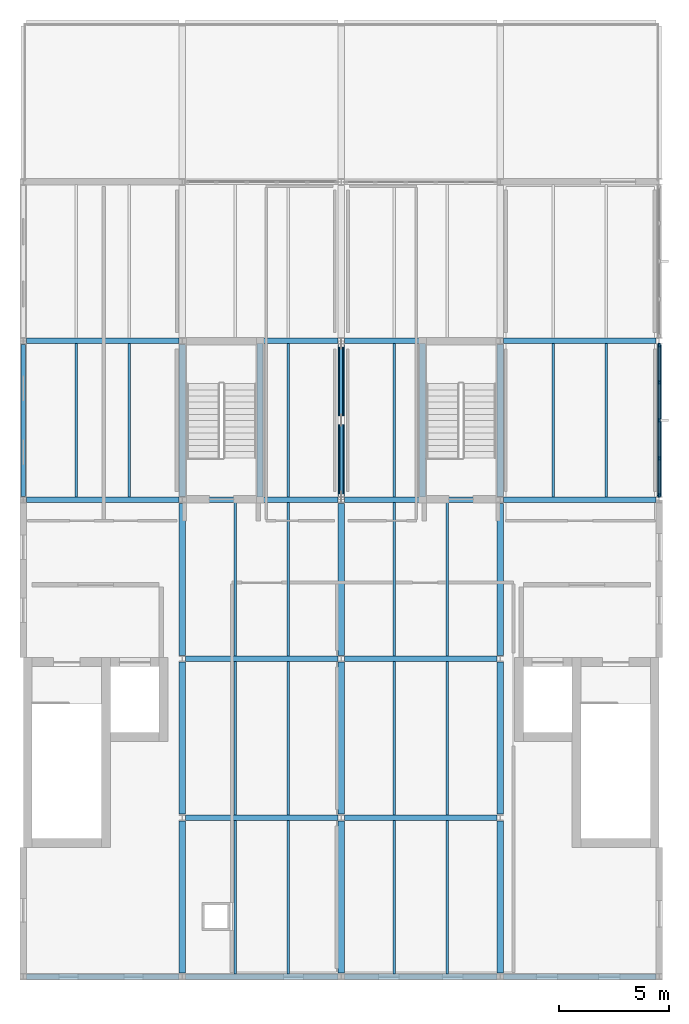
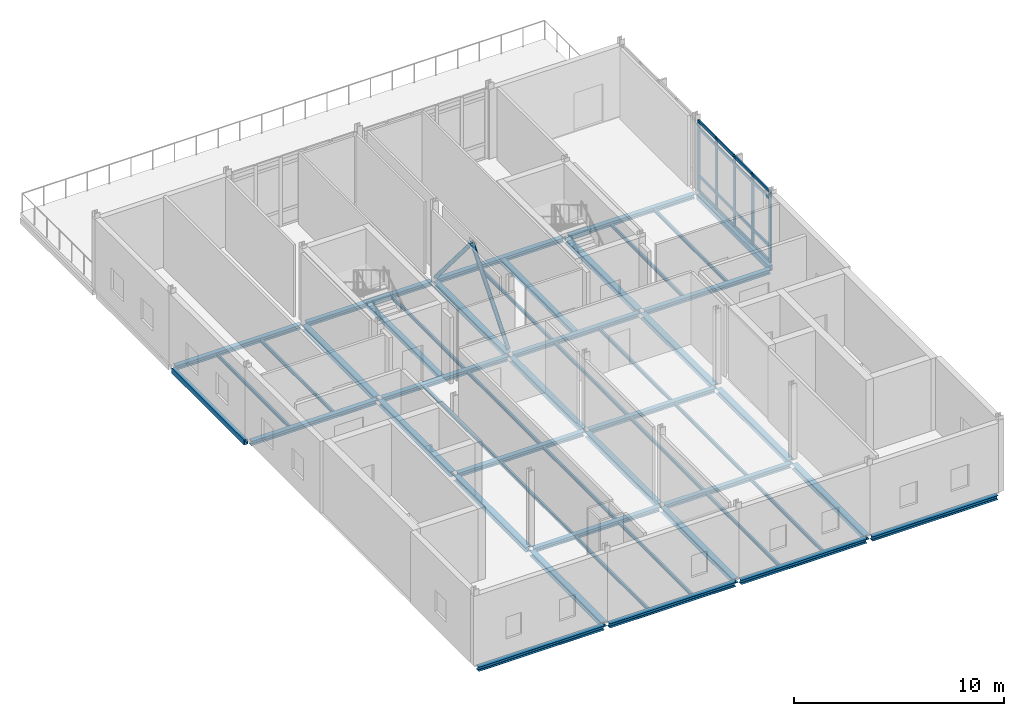
# One storey, part 3 of 12: 50 beams, 23 members, 1 element without a shape of its own.
"""IFC4 building model written with IfcOpenShell, lengths in metres."""

import ifcopenshell
import ifcopenshell.guid

model = None  # the IFC model being written
_history = None  # IfcOwnerHistory: only IFC2X3 demands one
_inside = {}  # id of a spatial element -> (the spatial element, [elements in it])
_under = {}  # id of a project, library or spatial element -> (it, [spatial elements below it])
_declared = {}  # id of a project -> (the project, [libraries it declares])
_typed = {}  # id of a type object -> (the type object, [elements of that type])
_made_of = {}  # id of a material, layer set ... -> (it, [elements and type objects made of it])


def new_model(schema):
    """Start an empty IFC model of exactly this schema.

    Asked for "IFC4X3", IfcOpenShell would pick the latest addendum, in which some entities
    have other attributes; the version numbers below select the first issue.
    IFC2X3 requires an IfcOwnerHistory on every rooted entity: one is made here for all.
    """
    global model, _history
    if schema == "IFC4X3":
        model = ifcopenshell.file(schema_version=(4, 3, 0, 0))
    else:
        model = ifcopenshell.file(schema=schema)
    _inside.clear()
    _under.clear()
    _declared.clear()
    _typed.clear()
    _made_of.clear()
    _history = None
    if model.schema == "IFC2X3":
        org = make("IfcOrganization", Name="unknown")
        user = make(
            "IfcPersonAndOrganization",
            ThePerson=make("IfcPerson", FamilyName="unknown"),
            TheOrganization=org,
        )
        app = make(
            "IfcApplication",
            ApplicationDeveloper=org,
            Version="unknown",
            ApplicationFullName="unknown",
            ApplicationIdentifier="unknown",
        )
        _history = make(
            "IfcOwnerHistory",
            OwningUser=user,
            OwningApplication=app,
            ChangeAction="ADDED",
            CreationDate=0,
        )
    return model


def make(cls, **values):
    """One entity of the class cls with the attributes given. An attribute that is None is left unset."""
    return model.create_entity(
        cls, **{name: value for name, value in values.items() if value is not None}
    )


def rooted(cls, **values):
    """An entity with a GlobalId (a new one), such as an element, a storey or a relation."""
    return make(cls, GlobalId=ifcopenshell.guid.new(), OwnerHistory=_history, **values)


def si_unit(unit_type, name, prefix=None):
    """IfcSIUnit, for example si_unit("LENGTHUNIT", "METRE", prefix="MILLI")."""
    return make("IfcSIUnit", UnitType=unit_type, Prefix=prefix, Name=name)


def assignment(units):
    """IfcUnitAssignment: the units of a project."""
    return None if units is None else make("IfcUnitAssignment", Units=units)


def point(xyz):
    """IfcCartesianPoint."""
    return None if xyz is None else make("IfcCartesianPoint", Coordinates=xyz)


def direction(xyz):
    """IfcDirection."""
    return None if xyz is None else make("IfcDirection", DirectionRatios=xyz)


def frame(location, z_axis=None, x_axis=None):
    """IfcAxis2Placement3D, a coordinate frame: its origin and axes. An axis left out is left unset."""
    return make(
        "IfcAxis2Placement3D",
        Location=point(location),
        Axis=direction(z_axis),
        RefDirection=direction(x_axis),
    )


def frame_2d(location, x_axis=None):
    """IfcAxis2Placement2D, a coordinate frame in the plane: its origin and x axis."""
    return make(
        "IfcAxis2Placement2D", Location=point(location), RefDirection=direction(x_axis)
    )


def origin():
    """The frame at (0, 0, 0) with its axes left unset."""
    return frame((0.0, 0.0, 0.0))


def origin_2d():
    """The frame at (0, 0) in the plane with its x axis left unset."""
    return frame_2d((0.0, 0.0))


def place(relative_to, where):
    """IfcLocalPlacement: puts the frame where relative to a parent placement (None: the world)."""
    return make(
        "IfcLocalPlacement", PlacementRelTo=relative_to, RelativePlacement=where
    )


def context(
    kind, dimensions, precision=None, world=None, true_north=None, identifier=None
):
    """IfcGeometricRepresentationContext, for example the 3D "Model" context."""
    return make(
        "IfcGeometricRepresentationContext",
        ContextIdentifier=identifier,
        ContextType=kind,
        CoordinateSpaceDimension=dimensions,
        Precision=precision,
        WorldCoordinateSystem=world,
        TrueNorth=true_north,
    )


def subcontext(parent, identifier, kind, view, scale=None):
    """IfcGeometricRepresentationSubContext, for example "Body" below "Model"."""
    return make(
        "IfcGeometricRepresentationSubContext",
        ContextIdentifier=identifier,
        ContextType=kind,
        ParentContext=parent,
        TargetScale=scale,
        TargetView=view,
    )


def project(units=None, contexts=None):
    """IfcProject with its units and contexts."""
    return rooted(
        "IfcProject",
        Name="project",
        RepresentationContexts=contexts,
        UnitsInContext=assignment(units),
    )


def spatial(cls, under=None, at=None, **own):
    """A site, building, storey or space (cls), placed at a placement, below another one or the project."""
    s = rooted(cls, ObjectPlacement=at, **own)
    if under is not None:
        _under.setdefault(under.id(), (under, []))[1].append(s)
    return s


def profile(cls, at=None, kind="AREA", **sizes):
    """A parametric profile (cls). Its sizes go by their IFC names, for example OverallWidth=200.0."""
    return make(cls, ProfileType=kind, Position=at, **sizes)


def rectangle(**sizes):
    """IfcRectangleProfileDef."""
    return profile("IfcRectangleProfileDef", **sizes)


def hollow_rectangle(**sizes):
    """IfcRectangleHollowProfileDef."""
    return profile("IfcRectangleHollowProfileDef", **sizes)


def hollow_circle(**sizes):
    """IfcCircleHollowProfileDef."""
    return profile("IfcCircleHollowProfileDef", **sizes)


def i_section(**sizes):
    """IfcIShapeProfileDef."""
    return profile("IfcIShapeProfileDef", **sizes)


def extrude(swept, where, along, depth):
    """IfcExtrudedAreaSolid: the profile swept, set in the frame where, extruded along a direction by depth."""
    return make(
        "IfcExtrudedAreaSolid",
        SweptArea=swept,
        Position=where,
        ExtrudedDirection=direction(along),
        Depth=depth,
    )


def shape(context_of_items, identifier, shape_type, items):
    """IfcShapeRepresentation: the items that make up one representation, for example the "Body"."""
    return make(
        "IfcShapeRepresentation",
        ContextOfItems=context_of_items,
        RepresentationIdentifier=identifier,
        RepresentationType=shape_type,
        Items=items,
    )


def material(Name=None, Category=None):
    """IfcMaterial."""
    return make("IfcMaterial", Name=Name, Category=Category)


def layer(
    of_material, thickness, ventilated=None, Name=None, Category=None, Priority=None
):
    """IfcMaterialLayer: one layer of a wall or slab, of a material (None: an air gap)."""
    return make(
        "IfcMaterialLayer",
        Material=of_material,
        LayerThickness=thickness,
        IsVentilated=ventilated,
        Name=Name,
        Category=Category,
        Priority=Priority,
    )


def layer_set(layers, Name=None):
    """IfcMaterialLayerSet."""
    return make("IfcMaterialLayerSet", MaterialLayers=layers, LayerSetName=Name)


def material_profile(
    of_material, cross_section, Name=None, Category=None, Priority=None
):
    """IfcMaterialProfile: a cross section and its material."""
    return make(
        "IfcMaterialProfile",
        Name=Name,
        Material=of_material,
        Profile=cross_section,
        Priority=Priority,
        Category=Category,
    )


def profile_set(profiles, Name=None, composite=None):
    """IfcMaterialProfileSet."""
    return make(
        "IfcMaterialProfileSet",
        Name=Name,
        MaterialProfiles=profiles,
        CompositeProfile=composite,
    )


def made_of(thing, what):
    """Note that an element or type object is made of a material, layer set ...; save() writes the relation."""
    if what is not None:
        _made_of.setdefault(what.id(), (what, []))[1].append(thing)
    return thing


def type_object(cls, material=None, **own):
    """A type object (cls), such as IfcWallType, which elements share."""
    return made_of(rooted(cls, **own), material)


def element(
    cls,
    number,
    at=None,
    inside=None,
    cuts=None,
    type_object=None,
    material=None,
    context=None,
    identifier="Body",
    shape_type=None,
    held_by="IfcProductDefinitionShape",
    body=None,
    shapes=None,
    **own,
):
    """One element of the class cls, such as IfcWall. Its Tag is "e" and its number.

    at: its placement. inside: the storey or other place that contains it. cuts: it is an
    opening in that element (IfcRelVoidsElement). A single representation is given by context,
    identifier, shape_type and body (its items); several are given by shapes. held_by: the class
    of the entity that holds the representations. save() writes the other relations.
    """
    e = rooted(cls, Tag="e%d" % number, ObjectPlacement=at, **own)
    if body is not None:
        shapes = [shape(context, identifier, shape_type, body)]
    if shapes is not None:
        e.Representation = make(held_by, Representations=shapes)
    if inside is not None:
        _inside.setdefault(inside.id(), (inside, []))[1].append(e)
    if cuts is not None:
        rooted(
            "IfcRelVoidsElement", RelatingBuildingElement=cuts, RelatedOpeningElement=e
        )
    if type_object is not None:
        _typed.setdefault(type_object.id(), (type_object, []))[1].append(e)
    return made_of(e, material)


def aggregate(whole, parts):
    """IfcRelAggregates: a whole, such as a stair, and the parts it consists of."""
    return rooted("IfcRelAggregates", RelatingObject=whole, RelatedObjects=parts)


def save(model, path):
    """Write the relations noted so far, then the file.

    IfcRelAggregates (storeys below a building ...), IfcRelContainedInSpatialStructure (elements
    in a storey), IfcRelDefinesByType, IfcRelAssociatesMaterial and IfcRelDeclares: one each for
    every whole, place, type object, material and project.
    """
    for whole, parts in _under.values():
        aggregate(whole, parts)
    for where, things in _inside.values():
        rooted(
            "IfcRelContainedInSpatialStructure",
            RelatedElements=things,
            RelatingStructure=where,
        )
    for kind, things in _typed.values():
        rooted("IfcRelDefinesByType", RelatedObjects=things, RelatingType=kind)
    for what, things in _made_of.values():
        rooted("IfcRelAssociatesMaterial", RelatedObjects=things, RelatingMaterial=what)
    for by, libraries in _declared.values():
        rooted("IfcRelDeclares", RelatingContext=by, RelatedDefinitions=libraries)
    model.write(path)


model = new_model("IFC4")

# Units and contexts
model_context = context("Model", 3, precision=1e-05, world=origin(), true_north=direction((0.0, 1.0)))
body_context = subcontext(model_context, "Body", "Model", "MODEL_VIEW")
ifc_project = project(units=[si_unit("LENGTHUNIT", "METRE"), si_unit("AREAUNIT", "SQUARE_METRE"), si_unit("VOLUMEUNIT", "CUBIC_METRE"), si_unit("PLANEANGLEUNIT", "RADIAN"), si_unit("MASSUNIT", "GRAM", prefix="KILO")], contexts=[model_context])

# Site, building, storey
site_placement = place(None, origin())
site = spatial("IfcSite", under=ifc_project, at=site_placement, CompositionType="ELEMENT")
building_placement = place(site_placement, origin())
building = spatial("IfcBuilding", under=site, at=building_placement, Name="Zarrinpeak Specialist Clinic", CompositionType="ELEMENT")
storey_placement = place(building_placement, frame((0.0, 0.0, 27.199951171875)))
storey = spatial("IfcBuildingStorey", under=building, at=storey_placement, Name="L06", CompositionType="ELEMENT", Elevation=27.199951171875)

# Beams
ifc_material_1 = material(Name="Steel S355", Category="steel")
ifc_material_profile_1 = material_profile(ifc_material_1, i_section(OverallWidth=0.260009765625, OverallDepth=0.25, WebThickness=0.007568359375, FlangeThickness=0.012451171875, FilletRadius=0.02392578125, at=origin_2d()), Name="HEA 260")
ifc_profile_set_1 = profile_set([ifc_material_profile_1], Name="Steel S355")
beam_type_1 = type_object("IfcBeamType", Name="BM-HEA260", PredefinedType="BEAM", material=ifc_profile_set_1)
for number, where, z_axis, x_axis, name in (
    (1, (0.14794921875, 0.0, -0.31005859375), (1.0, 0.0, 0.0), (0.0, 1.0, 0.0), "L06 Primary Floor Girder BM-L06-X2180"),
    (2, (7.347900390625, 0.0, -0.31005859375), (1.0, 0.0, 0.0), (0.0, 1.0, 0.0), "L06 Primary Floor Girder BM-L06-X2181"),
):
    element("IfcBeam", number, at=place(storey_placement, frame(where, z_axis=z_axis, x_axis=x_axis)), inside=storey, type_object=beam_type_1, Name=name, PredefinedType="BEAM", context=body_context, shape_type="SweptSolid", body=[
        extrude(i_section(OverallWidth=0.260009765625, OverallDepth=0.25, WebThickness=0.007568359375, FlangeThickness=0.012451171875, FilletRadius=0.02392578125, at=origin_2d()), origin(), (0.0, 0.0, 1.0), 6.904052734375),
    ])
beam_1_placement = place(storey_placement, frame((14.548095703125, 0.0, -0.31005859375), z_axis=(1.0, 0.0, 0.0), x_axis=(0.0, 1.0, 0.0)))
element("IfcBeam", 3, at=beam_1_placement, inside=storey, type_object=beam_type_1, Name="L06 Primary Floor Girder BM-L06-X2182", PredefinedType="BEAM", context=body_context, shape_type="SweptSolid", body=[
    extrude(i_section(OverallWidth=0.260009765625, OverallDepth=0.25, WebThickness=0.007568359375, FlangeThickness=0.012451171875, FilletRadius=0.02392578125, at=origin_2d()), origin(), (0.0, 0.0, 1.0), 6.90380859375),
])
for number, where, z_axis, x_axis, name in (
    (4, (21.748046875, 0.0, -0.31005859375), (1.0, 0.0, 0.0), (0.0, 1.0, 0.0), "L06 Primary Floor Girder BM-L06-X2183"),
    (5, (7.347900390625, 7.199951171875, -0.31005859375), (1.0, 0.0, 0.0), (0.0, 1.0, 0.0), "L06 Primary Floor Girder BM-L06-X2184"),
):
    element("IfcBeam", number, at=place(storey_placement, frame(where, z_axis=z_axis, x_axis=x_axis)), inside=storey, type_object=beam_type_1, Name=name, PredefinedType="BEAM", context=body_context, shape_type="SweptSolid", body=[
        extrude(i_section(OverallWidth=0.260009765625, OverallDepth=0.25, WebThickness=0.007568359375, FlangeThickness=0.012451171875, FilletRadius=0.02392578125, at=origin_2d()), origin(), (0.0, 0.0, 1.0), 6.904052734375),
    ])
beam_2_placement = place(storey_placement, frame((14.548095703125, 7.199951171875, -0.31005859375), z_axis=(1.0, 0.0, 0.0), x_axis=(0.0, 1.0, 0.0)))
element("IfcBeam", 6, at=beam_2_placement, inside=storey, type_object=beam_type_1, Name="L06 Primary Floor Girder BM-L06-X2185", PredefinedType="BEAM", context=body_context, shape_type="SweptSolid", body=[
    extrude(i_section(OverallWidth=0.260009765625, OverallDepth=0.25, WebThickness=0.007568359375, FlangeThickness=0.012451171875, FilletRadius=0.02392578125, at=origin_2d()), origin(), (0.0, 0.0, 1.0), 6.90380859375),
])
beam_3_placement = place(storey_placement, frame((7.347900390625, 14.39990234375, -0.31005859375), z_axis=(1.0, 0.0, 0.0), x_axis=(0.0, 1.0, 0.0)))
element("IfcBeam", 7, at=beam_3_placement, inside=storey, type_object=beam_type_1, Name="L06 Primary Floor Girder BM-L06-X2186", PredefinedType="BEAM", context=body_context, shape_type="SweptSolid", body=[
    extrude(i_section(OverallWidth=0.260009765625, OverallDepth=0.25, WebThickness=0.007568359375, FlangeThickness=0.012451171875, FilletRadius=0.02392578125, at=origin_2d()), origin(), (0.0, 0.0, 1.0), 6.904052734375),
])
beam_4_placement = place(storey_placement, frame((14.548095703125, 14.39990234375, -0.31005859375), z_axis=(1.0, 0.0, 0.0), x_axis=(0.0, 1.0, 0.0)))
element("IfcBeam", 8, at=beam_4_placement, inside=storey, type_object=beam_type_1, Name="L06 Primary Floor Girder BM-L06-X2187", PredefinedType="BEAM", context=body_context, shape_type="SweptSolid", body=[
    extrude(i_section(OverallWidth=0.260009765625, OverallDepth=0.25, WebThickness=0.007568359375, FlangeThickness=0.012451171875, FilletRadius=0.02392578125, at=origin_2d()), origin(), (0.0, 0.0, 1.0), 6.90380859375),
])
for number, where, z_axis, x_axis, name in (
    (9, (0.14794921875, 21.60009765625, -0.31005859375), (1.0, 0.0, 0.0), (0.0, 1.0, 0.0), "L06 Primary Floor Girder BM-L06-X2188"),
    (10, (7.347900390625, 21.60009765625, -0.31005859375), (1.0, 0.0, 0.0), (0.0, 1.0, 0.0), "L06 Primary Floor Girder BM-L06-X2189"),
):
    element("IfcBeam", number, at=place(storey_placement, frame(where, z_axis=z_axis, x_axis=x_axis)), inside=storey, type_object=beam_type_1, Name=name, PredefinedType="BEAM", context=body_context, shape_type="SweptSolid", body=[
        extrude(i_section(OverallWidth=0.260009765625, OverallDepth=0.25, WebThickness=0.007568359375, FlangeThickness=0.012451171875, FilletRadius=0.02392578125, at=origin_2d()), origin(), (0.0, 0.0, 1.0), 6.904052734375),
    ])
beam_5_placement = place(storey_placement, frame((14.548095703125, 21.60009765625, -0.31005859375), z_axis=(1.0, 0.0, 0.0), x_axis=(0.0, 1.0, 0.0)))
element("IfcBeam", 11, at=beam_5_placement, inside=storey, type_object=beam_type_1, Name="L06 Primary Floor Girder BM-L06-X2190", PredefinedType="BEAM", context=body_context, shape_type="SweptSolid", body=[
    extrude(i_section(OverallWidth=0.260009765625, OverallDepth=0.25, WebThickness=0.007568359375, FlangeThickness=0.012451171875, FilletRadius=0.02392578125, at=origin_2d()), origin(), (0.0, 0.0, 1.0), 6.90380859375),
])
for number, where, z_axis, x_axis, name in (
    (12, (21.748046875, 21.60009765625, -0.31005859375), (1.0, 0.0, 0.0), (0.0, 1.0, 0.0), "L06 Primary Floor Girder BM-L06-X2191"),
    (13, (0.14794921875, 28.800048828125, -0.31005859375), (1.0, 0.0, 0.0), (0.0, 1.0, 0.0), "L06 Primary Floor Girder BM-L06-X2192"),
    (14, (7.347900390625, 28.800048828125, -0.31005859375), (1.0, 0.0, 0.0), (0.0, 1.0, 0.0), "L06 Primary Floor Girder BM-L06-X2193"),
):
    element("IfcBeam", number, at=place(storey_placement, frame(where, z_axis=z_axis, x_axis=x_axis)), inside=storey, type_object=beam_type_1, Name=name, PredefinedType="BEAM", context=body_context, shape_type="SweptSolid", body=[
        extrude(i_section(OverallWidth=0.260009765625, OverallDepth=0.25, WebThickness=0.007568359375, FlangeThickness=0.012451171875, FilletRadius=0.02392578125, at=origin_2d()), origin(), (0.0, 0.0, 1.0), 6.904052734375),
    ])
beam_6_placement = place(storey_placement, frame((14.548095703125, 28.800048828125, -0.31005859375), z_axis=(1.0, 0.0, 0.0), x_axis=(0.0, 1.0, 0.0)))
element("IfcBeam", 15, at=beam_6_placement, inside=storey, type_object=beam_type_1, Name="L06 Primary Floor Girder BM-L06-X2194", PredefinedType="BEAM", context=body_context, shape_type="SweptSolid", body=[
    extrude(i_section(OverallWidth=0.260009765625, OverallDepth=0.25, WebThickness=0.007568359375, FlangeThickness=0.012451171875, FilletRadius=0.02392578125, at=origin_2d()), origin(), (0.0, 0.0, 1.0), 6.90380859375),
])
beam_7_placement = place(storey_placement, frame((21.748046875, 28.800048828125, -0.31005859375), z_axis=(1.0, 0.0, 0.0), x_axis=(0.0, 1.0, 0.0)))
element("IfcBeam", 16, at=beam_7_placement, inside=storey, type_object=beam_type_1, Name="L06 Primary Floor Girder BM-L06-X2195", PredefinedType="BEAM", context=body_context, shape_type="SweptSolid", body=[
    extrude(i_section(OverallWidth=0.260009765625, OverallDepth=0.25, WebThickness=0.007568359375, FlangeThickness=0.012451171875, FilletRadius=0.02392578125, at=origin_2d()), origin(), (0.0, 0.0, 1.0), 6.904052734375),
])
for number, where, z_axis, x_axis, name in (
    (17, (10.72509765625, 21.721923828125, -0.31005859375), (0.0, 1.0, 0.0), (-1.0, 0.0, 0.0), "L06 Attic Stair ST13 Trimmer Girder"),
    (18, (18.074951171875, 21.721923828125, -0.31005859375), (0.0, 1.0, 0.0), (-1.0, 0.0, 0.0), "L06 Attic Stair ST14 Trimmer Girder"),
):
    element("IfcBeam", number, at=place(storey_placement, frame(where, z_axis=z_axis, x_axis=x_axis)), inside=storey, type_object=beam_type_1, Name=name, PredefinedType="BEAM", context=body_context, shape_type="SweptSolid", body=[
        extrude(i_section(OverallWidth=0.260009765625, OverallDepth=0.25, WebThickness=0.007568359375, FlangeThickness=0.012451171875, FilletRadius=0.02392578125, at=origin_2d()), origin(), (0.0, 0.0, 1.0), 6.9560546875),
    ])
ifc_material_profile_2 = material_profile(ifc_material_1, i_section(OverallWidth=0.300048828125, OverallDepth=0.2900390625, WebThickness=0.008544921875, FlangeThickness=0.013916015625, FilletRadius=0.027099609375, at=origin_2d()), Name="HEA 300")
ifc_profile_set_2 = profile_set([ifc_material_profile_2], Name="Steel S355")
beam_type_2 = type_object("IfcBeamType", Name="BM-HEA300", PredefinedType="BEAM", material=ifc_profile_set_2)
for number, where, z_axis, x_axis, name in (
    (19, (7.199951171875, 0.157958984375, -0.329833984375), (0.0, 1.0, 0.0), (-1.0, 0.0, 0.0), "L06 Primary Beam BM-L06-Y2207"),
    (20, (7.199951171875, 7.35791015625, -0.329833984375), (0.0, 1.0, 0.0), (-1.0, 0.0, 0.0), "L06 Primary Beam BM-L06-Y2208"),
):
    element("IfcBeam", number, at=place(storey_placement, frame(where, z_axis=z_axis, x_axis=x_axis)), inside=storey, type_object=beam_type_2, Name=name, PredefinedType="BEAM", context=body_context, shape_type="SweptSolid", body=[
        extrude(i_section(OverallWidth=0.300048828125, OverallDepth=0.2900390625, WebThickness=0.008544921875, FlangeThickness=0.013916015625, FilletRadius=0.027099609375, at=origin_2d()), origin(), (0.0, 0.0, 1.0), 6.884033203125),
    ])
beam_8_placement = place(storey_placement, frame((7.199951171875, 14.55810546875, -0.329833984375), z_axis=(0.0, 1.0, 0.0), x_axis=(-1.0, 0.0, 0.0)))
element("IfcBeam", 21, at=beam_8_placement, inside=storey, type_object=beam_type_2, Name="L06 Primary Beam BM-L06-Y2209", PredefinedType="BEAM", context=body_context, shape_type="SweptSolid", body=[
    extrude(i_section(OverallWidth=0.300048828125, OverallDepth=0.2900390625, WebThickness=0.008544921875, FlangeThickness=0.013916015625, FilletRadius=0.027099609375, at=origin_2d()), origin(), (0.0, 0.0, 1.0), 6.8837890625),
])
for number, where, z_axis, x_axis, name in (
    (22, (7.199951171875, 21.758056640625, -0.329833984375), (0.0, 1.0, 0.0), (-1.0, 0.0, 0.0), "L06 Primary Beam BM-L06-Y2210"),
    (23, (14.39990234375, 0.157958984375, -0.329833984375), (0.0, 1.0, 0.0), (-1.0, 0.0, 0.0), "L06 Primary Beam BM-L06-Y2213"),
    (24, (14.39990234375, 7.35791015625, -0.329833984375), (0.0, 1.0, 0.0), (-1.0, 0.0, 0.0), "L06 Primary Beam BM-L06-Y2214"),
):
    element("IfcBeam", number, at=place(storey_placement, frame(where, z_axis=z_axis, x_axis=x_axis)), inside=storey, type_object=beam_type_2, Name=name, PredefinedType="BEAM", context=body_context, shape_type="SweptSolid", body=[
        extrude(i_section(OverallWidth=0.300048828125, OverallDepth=0.2900390625, WebThickness=0.008544921875, FlangeThickness=0.013916015625, FilletRadius=0.027099609375, at=origin_2d()), origin(), (0.0, 0.0, 1.0), 6.884033203125),
    ])
beam_9_placement = place(storey_placement, frame((14.39990234375, 14.55810546875, -0.329833984375), z_axis=(0.0, 1.0, 0.0), x_axis=(-1.0, 0.0, 0.0)))
element("IfcBeam", 25, at=beam_9_placement, inside=storey, type_object=beam_type_2, Name="L06 Primary Beam BM-L06-Y2215", PredefinedType="BEAM", context=body_context, shape_type="SweptSolid", body=[
    extrude(i_section(OverallWidth=0.300048828125, OverallDepth=0.2900390625, WebThickness=0.008544921875, FlangeThickness=0.013916015625, FilletRadius=0.027099609375, at=origin_2d()), origin(), (0.0, 0.0, 1.0), 6.8837890625),
])
for number, where, z_axis, x_axis, name in (
    (26, (14.39990234375, 21.758056640625, -0.329833984375), (0.0, 1.0, 0.0), (-1.0, 0.0, 0.0), "L06 Primary Beam BM-L06-Y2216"),
    (27, (21.60009765625, 0.157958984375, -0.329833984375), (0.0, 1.0, 0.0), (-1.0, 0.0, 0.0), "L06 Primary Beam BM-L06-Y2219"),
    (28, (21.60009765625, 7.35791015625, -0.329833984375), (0.0, 1.0, 0.0), (-1.0, 0.0, 0.0), "L06 Primary Beam BM-L06-Y2220"),
):
    element("IfcBeam", number, at=place(storey_placement, frame(where, z_axis=z_axis, x_axis=x_axis)), inside=storey, type_object=beam_type_2, Name=name, PredefinedType="BEAM", context=body_context, shape_type="SweptSolid", body=[
        extrude(i_section(OverallWidth=0.300048828125, OverallDepth=0.2900390625, WebThickness=0.008544921875, FlangeThickness=0.013916015625, FilletRadius=0.027099609375, at=origin_2d()), origin(), (0.0, 0.0, 1.0), 6.884033203125),
    ])
beam_10_placement = place(storey_placement, frame((21.60009765625, 14.55810546875, -0.329833984375), z_axis=(0.0, 1.0, 0.0), x_axis=(-1.0, 0.0, 0.0)))
element("IfcBeam", 29, at=beam_10_placement, inside=storey, type_object=beam_type_2, Name="L06 Primary Beam BM-L06-Y2221", PredefinedType="BEAM", context=body_context, shape_type="SweptSolid", body=[
    extrude(i_section(OverallWidth=0.300048828125, OverallDepth=0.2900390625, WebThickness=0.008544921875, FlangeThickness=0.013916015625, FilletRadius=0.027099609375, at=origin_2d()), origin(), (0.0, 0.0, 1.0), 6.8837890625),
])
beam_11_placement = place(storey_placement, frame((21.60009765625, 21.758056640625, -0.329833984375), z_axis=(0.0, 1.0, 0.0), x_axis=(-1.0, 0.0, 0.0)))
element("IfcBeam", 30, at=beam_11_placement, inside=storey, type_object=beam_type_2, Name="L06 Primary Beam BM-L06-Y2222", PredefinedType="BEAM", context=body_context, shape_type="SweptSolid", body=[
    extrude(i_section(OverallWidth=0.300048828125, OverallDepth=0.2900390625, WebThickness=0.008544921875, FlangeThickness=0.013916015625, FilletRadius=0.027099609375, at=origin_2d()), origin(), (0.0, 0.0, 1.0), 6.884033203125),
])
ifc_material_profile_3 = material_profile(ifc_material_1, i_section(OverallWidth=0.10009765625, OverallDepth=0.199951171875, WebThickness=0.005615234375, FlangeThickness=0.008544921875, FilletRadius=0.011962890625, at=origin_2d()), Name="IPE 200")
ifc_profile_set_3 = profile_set([ifc_material_profile_3], Name="Steel S355")
beam_type_3 = type_object("IfcBeamType", Name="BM-JST200", PredefinedType="JOIST", material=ifc_profile_set_3)
for number, where, z_axis, x_axis, name in (
    (31, (2.39990234375, 21.72802734375, -0.284912109375), (0.0, 1.0, 0.0), (-1.0, 0.0, 0.0), "L06 Composite Floor Joist JST-L06-2228"),
    (32, (4.800048828125, 21.72802734375, -0.284912109375), (0.0, 1.0, 0.0), (-1.0, 0.0, 0.0), "L06 Composite Floor Joist JST-L06-2229"),
    (33, (9.60009765625, 0.1279296875, -0.284912109375), (0.0, 1.0, 0.0), (-1.0, 0.0, 0.0), "L06 Composite Floor Joist JST-L06-2232"),
    (34, (12.0, 0.1279296875, -0.284912109375), (0.0, 1.0, 0.0), (-1.0, 0.0, 0.0), "L06 Composite Floor Joist JST-L06-2233"),
    (35, (9.60009765625, 7.327880859375, -0.284912109375), (0.0, 1.0, 0.0), (-1.0, 0.0, 0.0), "L06 Composite Floor Joist JST-L06-2234"),
    (36, (12.0, 7.327880859375, -0.284912109375), (0.0, 1.0, 0.0), (-1.0, 0.0, 0.0), "L06 Composite Floor Joist JST-L06-2235"),
):
    element("IfcBeam", number, at=place(storey_placement, frame(where, z_axis=z_axis, x_axis=x_axis)), inside=storey, type_object=beam_type_3, Name=name, PredefinedType="JOIST", context=body_context, shape_type="SweptSolid", body=[
        extrude(i_section(OverallWidth=0.10009765625, OverallDepth=0.199951171875, WebThickness=0.005615234375, FlangeThickness=0.008544921875, FilletRadius=0.011962890625, at=origin_2d()), origin(), (0.0, 0.0, 1.0), 6.944091796875),
    ])
for number, where, z_axis, x_axis, name in (
    (37, (9.60009765625, 14.528076171875, -0.284912109375), (0.0, 1.0, 0.0), (-1.0, 0.0, 0.0), "L06 Composite Floor Joist JST-L06-2236"),
    (38, (12.0, 14.528076171875, -0.284912109375), (0.0, 1.0, 0.0), (-1.0, 0.0, 0.0), "L06 Composite Floor Joist JST-L06-2237"),
):
    element("IfcBeam", number, at=place(storey_placement, frame(where, z_axis=z_axis, x_axis=x_axis)), inside=storey, type_object=beam_type_3, Name=name, PredefinedType="JOIST", context=body_context, shape_type="SweptSolid", body=[
        extrude(i_section(OverallWidth=0.10009765625, OverallDepth=0.199951171875, WebThickness=0.005615234375, FlangeThickness=0.008544921875, FilletRadius=0.011962890625, at=origin_2d()), origin(), (0.0, 0.0, 1.0), 6.94384765625),
    ])
for number, where, z_axis, x_axis, name in (
    (39, (12.0, 21.72802734375, -0.284912109375), (0.0, 1.0, 0.0), (-1.0, 0.0, 0.0), "L06 Composite Floor Joist JST-L06-2238"),
    (40, (16.800048828125, 0.1279296875, -0.284912109375), (0.0, 1.0, 0.0), (-1.0, 0.0, 0.0), "L06 Composite Floor Joist JST-L06-2241"),
    (41, (19.199951171875, 0.1279296875, -0.284912109375), (0.0, 1.0, 0.0), (-1.0, 0.0, 0.0), "L06 Composite Floor Joist JST-L06-2242"),
    (42, (16.800048828125, 7.327880859375, -0.284912109375), (0.0, 1.0, 0.0), (-1.0, 0.0, 0.0), "L06 Composite Floor Joist JST-L06-2243"),
    (43, (19.199951171875, 7.327880859375, -0.284912109375), (0.0, 1.0, 0.0), (-1.0, 0.0, 0.0), "L06 Composite Floor Joist JST-L06-2244"),
):
    element("IfcBeam", number, at=place(storey_placement, frame(where, z_axis=z_axis, x_axis=x_axis)), inside=storey, type_object=beam_type_3, Name=name, PredefinedType="JOIST", context=body_context, shape_type="SweptSolid", body=[
        extrude(i_section(OverallWidth=0.10009765625, OverallDepth=0.199951171875, WebThickness=0.005615234375, FlangeThickness=0.008544921875, FilletRadius=0.011962890625, at=origin_2d()), origin(), (0.0, 0.0, 1.0), 6.944091796875),
    ])
for number, where, z_axis, x_axis, name in (
    (44, (16.800048828125, 14.528076171875, -0.284912109375), (0.0, 1.0, 0.0), (-1.0, 0.0, 0.0), "L06 Composite Floor Joist JST-L06-2245"),
    (45, (19.199951171875, 14.528076171875, -0.284912109375), (0.0, 1.0, 0.0), (-1.0, 0.0, 0.0), "L06 Composite Floor Joist JST-L06-2246"),
):
    element("IfcBeam", number, at=place(storey_placement, frame(where, z_axis=z_axis, x_axis=x_axis)), inside=storey, type_object=beam_type_3, Name=name, PredefinedType="JOIST", context=body_context, shape_type="SweptSolid", body=[
        extrude(i_section(OverallWidth=0.10009765625, OverallDepth=0.199951171875, WebThickness=0.005615234375, FlangeThickness=0.008544921875, FilletRadius=0.011962890625, at=origin_2d()), origin(), (0.0, 0.0, 1.0), 6.94384765625),
    ])
for number, where, z_axis, x_axis, name in (
    (46, (16.800048828125, 21.72802734375, -0.284912109375), (0.0, 1.0, 0.0), (-1.0, 0.0, 0.0), "L06 Composite Floor Joist JST-L06-2247"),
    (47, (24.0, 21.72802734375, -0.284912109375), (0.0, 1.0, 0.0), (-1.0, 0.0, 0.0), "L06 Composite Floor Joist JST-L06-2250"),
    (48, (26.39990234375, 21.72802734375, -0.284912109375), (0.0, 1.0, 0.0), (-1.0, 0.0, 0.0), "L06 Composite Floor Joist JST-L06-2251"),
):
    element("IfcBeam", number, at=place(storey_placement, frame(where, z_axis=z_axis, x_axis=x_axis)), inside=storey, type_object=beam_type_3, Name=name, PredefinedType="JOIST", context=body_context, shape_type="SweptSolid", body=[
        extrude(i_section(OverallWidth=0.10009765625, OverallDepth=0.199951171875, WebThickness=0.005615234375, FlangeThickness=0.008544921875, FilletRadius=0.011962890625, at=origin_2d()), origin(), (0.0, 0.0, 1.0), 6.944091796875),
    ])
ifc_material_profile_4 = material_profile(ifc_material_1, hollow_rectangle(XDim=0.199951171875, YDim=0.300048828125, WallThickness=0.012451171875, at=origin_2d()), Name="RHS 300x200x12.5")
ifc_profile_set_4 = profile_set([ifc_material_profile_4], Name="Steel S355")
beam_type_4 = type_object("IfcBeamType", Name="BM-SP300", PredefinedType="SPANDREL", material=ifc_profile_set_4)
for number, where, z_axis, x_axis, name in (
    (49, (0.0, 21.758056640625, -0.3349609375), (0.0, 1.0, 0.0), (-1.0, 0.0, 0.0), "L06 Perimeter Spandrel Beam BM-L06-Y2204"),
    (50, (28.800048828125, 21.758056640625, -0.3349609375), (0.0, 1.0, 0.0), (-1.0, 0.0, 0.0), "L06 Perimeter Spandrel Beam BM-L06-Y2225"),
):
    element("IfcBeam", number, at=place(storey_placement, frame(where, z_axis=z_axis, x_axis=x_axis)), inside=storey, type_object=beam_type_4, Name=name, PredefinedType="SPANDREL", context=body_context, shape_type="SweptSolid", body=[
        extrude(hollow_rectangle(XDim=0.199951171875, YDim=0.300048828125, WallThickness=0.012451171875, at=origin_2d()), origin(), (0.0, 0.0, 1.0), 6.884033203125),
    ])

# Curtain wall, members
ifc_material_2 = material(Name="Anodised Aluminium Alloy 6063-T6", Category="aluminium")
ifc_layer = layer(ifc_material_2, 0.179931640625)
ifc_layer_set = layer_set([ifc_layer], Name="Anodised Aluminium Alloy 6063-T6")
curtain_wall_type = type_object("IfcCurtainWallType", Name="CW-COURT", PredefinedType="NOTDEFINED", material=ifc_layer_set)
curtain_wall_placement = place(storey_placement, origin())
curtain_wall = element("IfcCurtainWall", 51, at=curtain_wall_placement, inside=storey, type_object=curtain_wall_type, Name="L06 V1 Unitised Curtain Wall CW-L06-V1-038", PredefinedType="NOTDEFINED")
ifc_material_profile_5 = material_profile(ifc_material_2, rectangle(XDim=0.074951171875, YDim=0.179931640625, at=origin_2d()), Name="ALU 75x180")
ifc_profile_set_5 = profile_set([ifc_material_profile_5], Name="Anodised Aluminium Alloy 6063-T6")
member_type_1 = type_object("IfcMemberType", Name="CWM-75", PredefinedType="MULLION", material=ifc_profile_set_5)
member_1_placement = place(storey_placement, frame((28.800048828125, 21.802490234375, 0.0), z_axis=(0.0, 0.0, 1.0), x_axis=(-1.0, 0.0, 0.0)))
member_1 = element("IfcMember", 52, at=member_1_placement, type_object=member_type_1, Name="CW-01 mullion 1", PredefinedType="MULLION", context=body_context, shape_type="SweptSolid", body=[
    extrude(rectangle(XDim=0.074951171875, YDim=0.179931640625, at=origin_2d()), origin(), (0.0, 0.0, 1.0), 4.110107421875),
])
member_2_placement = place(storey_placement, frame((28.800048828125, 23.482421875, 0.0), z_axis=(0.0, 0.0, 1.0), x_axis=(-1.0, 0.0, 0.0)))
member_2 = element("IfcMember", 53, at=member_2_placement, type_object=member_type_1, Name="CW-01 mullion 2", PredefinedType="MULLION", context=body_context, shape_type="SweptSolid", body=[
    extrude(rectangle(XDim=0.074951171875, YDim=0.179931640625, at=origin_2d()), origin(), (0.0, 0.0, 1.0), 4.110107421875),
])
member_3_placement = place(storey_placement, frame((28.800048828125, 25.199951171875, 0.0), z_axis=(0.0, 0.0, 1.0), x_axis=(-1.0, 0.0, 0.0)))
member_3 = element("IfcMember", 54, at=member_3_placement, type_object=member_type_1, Name="CW-01 mullion 3", PredefinedType="MULLION", context=body_context, shape_type="SweptSolid", body=[
    extrude(rectangle(XDim=0.074951171875, YDim=0.179931640625, at=origin_2d()), origin(), (0.0, 0.0, 1.0), 4.110107421875),
])
member_4_placement = place(storey_placement, frame((28.800048828125, 26.91748046875, 0.0), z_axis=(0.0, 0.0, 1.0), x_axis=(-1.0, 0.0, 0.0)))
member_4 = element("IfcMember", 55, at=member_4_placement, type_object=member_type_1, Name="CW-01 mullion 4", PredefinedType="MULLION", context=body_context, shape_type="SweptSolid", body=[
    extrude(rectangle(XDim=0.074951171875, YDim=0.179931640625, at=origin_2d()), origin(), (0.0, 0.0, 1.0), 4.110107421875),
])
member_5_placement = place(storey_placement, frame((28.800048828125, 28.597412109375, 0.0), z_axis=(0.0, 0.0, 1.0), x_axis=(-1.0, 0.0, 0.0)))
member_5 = element("IfcMember", 56, at=member_5_placement, type_object=member_type_1, Name="CW-01 mullion 5", PredefinedType="MULLION", context=body_context, shape_type="SweptSolid", body=[
    extrude(rectangle(XDim=0.074951171875, YDim=0.179931640625, at=origin_2d()), origin(), (0.0, 0.0, 1.0), 4.110107421875),
])
ifc_material_profile_6 = material_profile(ifc_material_2, rectangle(XDim=0.074951171875, YDim=0.159912109375, at=origin_2d()), Name="ALU 75x160")
ifc_profile_set_6 = profile_set([ifc_material_profile_6], Name="Anodised Aluminium Alloy 6063-T6")
member_type_2 = type_object("IfcMemberType", Name="CWT-75", PredefinedType="USERDEFINED", material=ifc_profile_set_6)
member_6_placement = place(storey_placement, frame((28.800048828125, 21.840087890625, 0.03759765625), z_axis=(0.0, 1.0, 0.0), x_axis=(-1.0, 0.0, 0.0)))
member_6 = element("IfcMember", 57, at=member_6_placement, type_object=member_type_2, Name="CW-01 transom 1.1", ObjectType="TRANSOM", PredefinedType="USERDEFINED", context=body_context, shape_type="SweptSolid", body=[
    extrude(rectangle(XDim=0.074951171875, YDim=0.159912109375, at=origin_2d()), origin(), (0.0, 0.0, 1.0), 1.60498046875),
])
member_7_placement = place(storey_placement, frame((28.800048828125, 21.840087890625, 0.900146484375), z_axis=(0.0, 1.0, 0.0), x_axis=(-1.0, 0.0, 0.0)))
member_7 = element("IfcMember", 58, at=member_7_placement, type_object=member_type_2, Name="CW-01 transom 1.2", ObjectType="TRANSOM", PredefinedType="USERDEFINED", context=body_context, shape_type="SweptSolid", body=[
    extrude(rectangle(XDim=0.074951171875, YDim=0.159912109375, at=origin_2d()), origin(), (0.0, 0.0, 1.0), 1.60498046875),
])
member_8_placement = place(storey_placement, frame((28.800048828125, 21.840087890625, 3.66015625), z_axis=(0.0, 1.0, 0.0), x_axis=(-1.0, 0.0, 0.0)))
member_8 = element("IfcMember", 59, at=member_8_placement, type_object=member_type_2, Name="CW-01 transom 1.3", ObjectType="TRANSOM", PredefinedType="USERDEFINED", context=body_context, shape_type="SweptSolid", body=[
    extrude(rectangle(XDim=0.074951171875, YDim=0.159912109375, at=origin_2d()), origin(), (0.0, 0.0, 1.0), 1.60498046875),
])
member_9_placement = place(storey_placement, frame((28.800048828125, 21.840087890625, 4.072509765625), z_axis=(0.0, 1.0, 0.0), x_axis=(-1.0, 0.0, 0.0)))
member_9 = element("IfcMember", 60, at=member_9_placement, type_object=member_type_2, Name="CW-01 transom 1.4", ObjectType="TRANSOM", PredefinedType="USERDEFINED", context=body_context, shape_type="SweptSolid", body=[
    extrude(rectangle(XDim=0.074951171875, YDim=0.159912109375, at=origin_2d()), origin(), (0.0, 0.0, 1.0), 1.60498046875),
])
member_10_placement = place(storey_placement, frame((28.800048828125, 23.52001953125, 0.03759765625), z_axis=(0.0, 1.0, 0.0), x_axis=(-1.0, 0.0, 0.0)))
member_10 = element("IfcMember", 61, at=member_10_placement, type_object=member_type_2, Name="CW-01 transom 2.1", ObjectType="TRANSOM", PredefinedType="USERDEFINED", context=body_context, shape_type="SweptSolid", body=[
    extrude(rectangle(XDim=0.074951171875, YDim=0.159912109375, at=origin_2d()), origin(), (0.0, 0.0, 1.0), 1.642578125),
])
member_11_placement = place(storey_placement, frame((28.800048828125, 23.52001953125, 0.900146484375), z_axis=(0.0, 1.0, 0.0), x_axis=(-1.0, 0.0, 0.0)))
member_11 = element("IfcMember", 62, at=member_11_placement, type_object=member_type_2, Name="CW-01 transom 2.2", ObjectType="TRANSOM", PredefinedType="USERDEFINED", context=body_context, shape_type="SweptSolid", body=[
    extrude(rectangle(XDim=0.074951171875, YDim=0.159912109375, at=origin_2d()), origin(), (0.0, 0.0, 1.0), 1.642578125),
])
member_12_placement = place(storey_placement, frame((28.800048828125, 23.52001953125, 3.66015625), z_axis=(0.0, 1.0, 0.0), x_axis=(-1.0, 0.0, 0.0)))
member_12 = element("IfcMember", 63, at=member_12_placement, type_object=member_type_2, Name="CW-01 transom 2.3", ObjectType="TRANSOM", PredefinedType="USERDEFINED", context=body_context, shape_type="SweptSolid", body=[
    extrude(rectangle(XDim=0.074951171875, YDim=0.159912109375, at=origin_2d()), origin(), (0.0, 0.0, 1.0), 1.642578125),
])
member_13_placement = place(storey_placement, frame((28.800048828125, 23.52001953125, 4.072509765625), z_axis=(0.0, 1.0, 0.0), x_axis=(-1.0, 0.0, 0.0)))
member_13 = element("IfcMember", 64, at=member_13_placement, type_object=member_type_2, Name="CW-01 transom 2.4", ObjectType="TRANSOM", PredefinedType="USERDEFINED", context=body_context, shape_type="SweptSolid", body=[
    extrude(rectangle(XDim=0.074951171875, YDim=0.159912109375, at=origin_2d()), origin(), (0.0, 0.0, 1.0), 1.642578125),
])
member_14_placement = place(storey_placement, frame((28.800048828125, 25.237548828125, 0.03759765625), z_axis=(0.0, 1.0, 0.0), x_axis=(-1.0, 0.0, 0.0)))
member_14 = element("IfcMember", 65, at=member_14_placement, type_object=member_type_2, Name="CW-01 transom 3.1", ObjectType="TRANSOM", PredefinedType="USERDEFINED", context=body_context, shape_type="SweptSolid", body=[
    extrude(rectangle(XDim=0.074951171875, YDim=0.159912109375, at=origin_2d()), origin(), (0.0, 0.0, 1.0), 1.642333984375),
])
member_15_placement = place(storey_placement, frame((28.800048828125, 25.237548828125, 0.900146484375), z_axis=(0.0, 1.0, 0.0), x_axis=(-1.0, 0.0, 0.0)))
member_15 = element("IfcMember", 66, at=member_15_placement, type_object=member_type_2, Name="CW-01 transom 3.2", ObjectType="TRANSOM", PredefinedType="USERDEFINED", context=body_context, shape_type="SweptSolid", body=[
    extrude(rectangle(XDim=0.074951171875, YDim=0.159912109375, at=origin_2d()), origin(), (0.0, 0.0, 1.0), 1.642333984375),
])
member_16_placement = place(storey_placement, frame((28.800048828125, 25.237548828125, 3.66015625), z_axis=(0.0, 1.0, 0.0), x_axis=(-1.0, 0.0, 0.0)))
member_16 = element("IfcMember", 67, at=member_16_placement, type_object=member_type_2, Name="CW-01 transom 3.3", ObjectType="TRANSOM", PredefinedType="USERDEFINED", context=body_context, shape_type="SweptSolid", body=[
    extrude(rectangle(XDim=0.074951171875, YDim=0.159912109375, at=origin_2d()), origin(), (0.0, 0.0, 1.0), 1.642333984375),
])
member_17_placement = place(storey_placement, frame((28.800048828125, 25.237548828125, 4.072509765625), z_axis=(0.0, 1.0, 0.0), x_axis=(-1.0, 0.0, 0.0)))
member_17 = element("IfcMember", 68, at=member_17_placement, type_object=member_type_2, Name="CW-01 transom 3.4", ObjectType="TRANSOM", PredefinedType="USERDEFINED", context=body_context, shape_type="SweptSolid", body=[
    extrude(rectangle(XDim=0.074951171875, YDim=0.159912109375, at=origin_2d()), origin(), (0.0, 0.0, 1.0), 1.642333984375),
])
member_18_placement = place(storey_placement, frame((28.800048828125, 26.955078125, 0.03759765625), z_axis=(0.0, 1.0, 0.0), x_axis=(-1.0, 0.0, 0.0)))
member_18 = element("IfcMember", 69, at=member_18_placement, type_object=member_type_2, Name="CW-01 transom 4.1", ObjectType="TRANSOM", PredefinedType="USERDEFINED", context=body_context, shape_type="SweptSolid", body=[
    extrude(rectangle(XDim=0.074951171875, YDim=0.159912109375, at=origin_2d()), origin(), (0.0, 0.0, 1.0), 1.60498046875),
])
member_19_placement = place(storey_placement, frame((28.800048828125, 26.955078125, 0.900146484375), z_axis=(0.0, 1.0, 0.0), x_axis=(-1.0, 0.0, 0.0)))
member_19 = element("IfcMember", 70, at=member_19_placement, type_object=member_type_2, Name="CW-01 transom 4.2", ObjectType="TRANSOM", PredefinedType="USERDEFINED", context=body_context, shape_type="SweptSolid", body=[
    extrude(rectangle(XDim=0.074951171875, YDim=0.159912109375, at=origin_2d()), origin(), (0.0, 0.0, 1.0), 1.60498046875),
])
member_20_placement = place(storey_placement, frame((28.800048828125, 26.955078125, 3.66015625), z_axis=(0.0, 1.0, 0.0), x_axis=(-1.0, 0.0, 0.0)))
member_20 = element("IfcMember", 71, at=member_20_placement, type_object=member_type_2, Name="CW-01 transom 4.3", ObjectType="TRANSOM", PredefinedType="USERDEFINED", context=body_context, shape_type="SweptSolid", body=[
    extrude(rectangle(XDim=0.074951171875, YDim=0.159912109375, at=origin_2d()), origin(), (0.0, 0.0, 1.0), 1.60498046875),
])
member_21_placement = place(storey_placement, frame((28.800048828125, 26.955078125, 4.072509765625), z_axis=(0.0, 1.0, 0.0), x_axis=(-1.0, 0.0, 0.0)))
member_21 = element("IfcMember", 72, at=member_21_placement, type_object=member_type_2, Name="CW-01 transom 4.4", ObjectType="TRANSOM", PredefinedType="USERDEFINED", context=body_context, shape_type="SweptSolid", body=[
    extrude(rectangle(XDim=0.074951171875, YDim=0.159912109375, at=origin_2d()), origin(), (0.0, 0.0, 1.0), 1.60498046875),
])
aggregate(curtain_wall, [member_1, member_2, member_3, member_4, member_5, member_6, member_7, member_8, member_9, member_10, member_11, member_12, member_13, member_14, member_15, member_16, member_17, member_18, member_19, member_20, member_21])

# Members
ifc_material_profile_7 = material_profile(ifc_material_1, hollow_circle(Radius=0.109619140625, WallThickness=0.010009765625, at=origin_2d()), Name="CHS 219.1x10.0")
ifc_profile_set_7 = profile_set([ifc_material_profile_7], Name="Steel S355")
member_type_3 = type_object("IfcMemberType", Name="MB-BR219", PredefinedType="BRACE", material=ifc_profile_set_7)
for number, where, z_axis, x_axis, name in (
    (73, (14.39990234375, 21.739990234375, 0.005126953125), (0.0, 0.644948194135, 0.76422629298), (-1.0, 0.0, 0.0), "V1 L06 Seismic Concentric Brace CBF-013"),
    (74, (14.39990234375, 28.659912109375, 0.005126953125), (0.0, -0.644948194135, 0.76422629298), (1.0, 0.0, 0.0), "V1 L06 Seismic Concentric Brace CBF-014"),
):
    element("IfcMember", number, at=place(storey_placement, frame(where, z_axis=z_axis, x_axis=x_axis)), inside=storey, type_object=member_type_3, Name=name, PredefinedType="BRACE", context=body_context, shape_type="SweptSolid", body=[
        extrude(hollow_circle(Radius=0.109619140625, WallThickness=0.010009765625, at=origin_2d()), origin(), (0.0, 0.0, 1.0), 5.36474609375),
    ])

save(model, "model.ifc")
